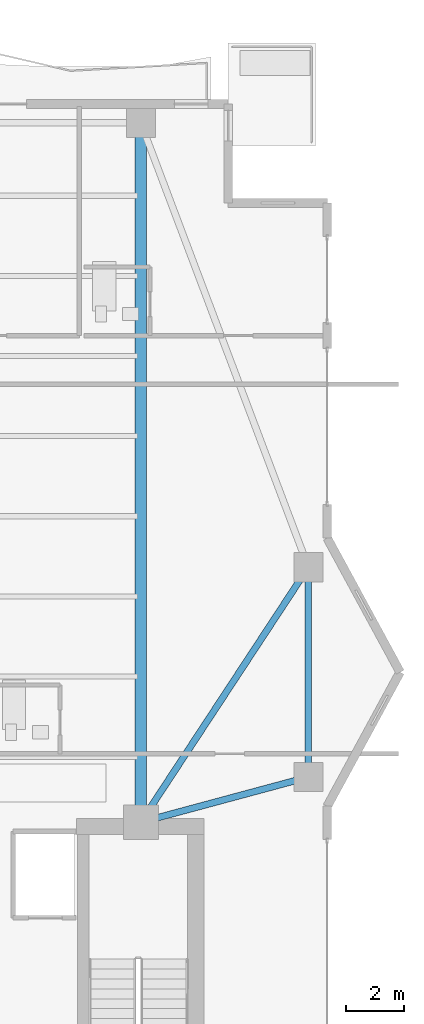
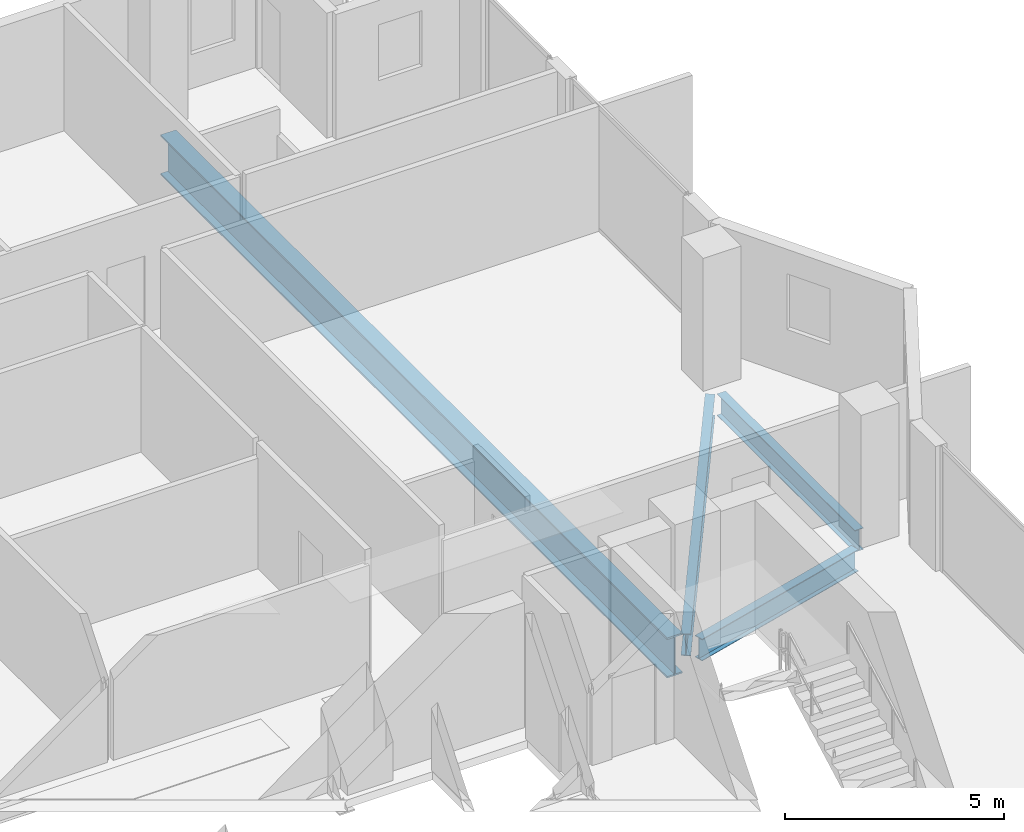
# One storey, part 9 of 24: 4 beams.
"""IFC4 building model written with IfcOpenShell, lengths in metres."""

import ifcopenshell
import ifcopenshell.guid

model = None  # the IFC model being written
_history = None  # IfcOwnerHistory: only IFC2X3 demands one
_inside = {}  # id of a spatial element -> (the spatial element, [elements in it])
_under = {}  # id of a project, library or spatial element -> (it, [spatial elements below it])
_declared = {}  # id of a project -> (the project, [libraries it declares])
_typed = {}  # id of a type object -> (the type object, [elements of that type])
_made_of = {}  # id of a material, layer set ... -> (it, [elements and type objects made of it])


def new_model(schema):
    """Start an empty IFC model of exactly this schema.

    Asked for "IFC4X3", IfcOpenShell would pick the latest addendum, in which some entities
    have other attributes; the version numbers below select the first issue.
    IFC2X3 requires an IfcOwnerHistory on every rooted entity: one is made here for all.
    """
    global model, _history
    if schema == "IFC4X3":
        model = ifcopenshell.file(schema_version=(4, 3, 0, 0))
    else:
        model = ifcopenshell.file(schema=schema)
    _inside.clear()
    _under.clear()
    _declared.clear()
    _typed.clear()
    _made_of.clear()
    _history = None
    if model.schema == "IFC2X3":
        org = make("IfcOrganization", Name="unknown")
        user = make(
            "IfcPersonAndOrganization",
            ThePerson=make("IfcPerson", FamilyName="unknown"),
            TheOrganization=org,
        )
        app = make(
            "IfcApplication",
            ApplicationDeveloper=org,
            Version="unknown",
            ApplicationFullName="unknown",
            ApplicationIdentifier="unknown",
        )
        _history = make(
            "IfcOwnerHistory",
            OwningUser=user,
            OwningApplication=app,
            ChangeAction="ADDED",
            CreationDate=0,
        )
    return model


def make(cls, **values):
    """One entity of the class cls with the attributes given. An attribute that is None is left unset."""
    return model.create_entity(
        cls, **{name: value for name, value in values.items() if value is not None}
    )


def rooted(cls, **values):
    """An entity with a GlobalId (a new one), such as an element, a storey or a relation."""
    return make(cls, GlobalId=ifcopenshell.guid.new(), OwnerHistory=_history, **values)


def si_unit(unit_type, name, prefix=None):
    """IfcSIUnit, for example si_unit("LENGTHUNIT", "METRE", prefix="MILLI")."""
    return make("IfcSIUnit", UnitType=unit_type, Prefix=prefix, Name=name)


def assignment(units):
    """IfcUnitAssignment: the units of a project."""
    return None if units is None else make("IfcUnitAssignment", Units=units)


def point(xyz):
    """IfcCartesianPoint."""
    return None if xyz is None else make("IfcCartesianPoint", Coordinates=xyz)


def direction(xyz):
    """IfcDirection."""
    return None if xyz is None else make("IfcDirection", DirectionRatios=xyz)


def frame(location, z_axis=None, x_axis=None):
    """IfcAxis2Placement3D, a coordinate frame: its origin and axes. An axis left out is left unset."""
    return make(
        "IfcAxis2Placement3D",
        Location=point(location),
        Axis=direction(z_axis),
        RefDirection=direction(x_axis),
    )


def frame_2d(location, x_axis=None):
    """IfcAxis2Placement2D, a coordinate frame in the plane: its origin and x axis."""
    return make(
        "IfcAxis2Placement2D", Location=point(location), RefDirection=direction(x_axis)
    )


def origin():
    """The frame at (0, 0, 0) with its axes left unset."""
    return frame((0.0, 0.0, 0.0))


def origin_2d():
    """The frame at (0, 0) in the plane with its x axis left unset."""
    return frame_2d((0.0, 0.0))


def place(relative_to, where):
    """IfcLocalPlacement: puts the frame where relative to a parent placement (None: the world)."""
    return make(
        "IfcLocalPlacement", PlacementRelTo=relative_to, RelativePlacement=where
    )


def context(
    kind, dimensions, precision=None, world=None, true_north=None, identifier=None
):
    """IfcGeometricRepresentationContext, for example the 3D "Model" context."""
    return make(
        "IfcGeometricRepresentationContext",
        ContextIdentifier=identifier,
        ContextType=kind,
        CoordinateSpaceDimension=dimensions,
        Precision=precision,
        WorldCoordinateSystem=world,
        TrueNorth=true_north,
    )


def subcontext(parent, identifier, kind, view, scale=None):
    """IfcGeometricRepresentationSubContext, for example "Body" below "Model"."""
    return make(
        "IfcGeometricRepresentationSubContext",
        ContextIdentifier=identifier,
        ContextType=kind,
        ParentContext=parent,
        TargetScale=scale,
        TargetView=view,
    )


def project(units=None, contexts=None):
    """IfcProject with its units and contexts."""
    return rooted(
        "IfcProject",
        Name="project",
        RepresentationContexts=contexts,
        UnitsInContext=assignment(units),
    )


def spatial(cls, under=None, at=None, **own):
    """A site, building, storey or space (cls), placed at a placement, below another one or the project."""
    s = rooted(cls, ObjectPlacement=at, **own)
    if under is not None:
        _under.setdefault(under.id(), (under, []))[1].append(s)
    return s


def profile(cls, at=None, kind="AREA", **sizes):
    """A parametric profile (cls). Its sizes go by their IFC names, for example OverallWidth=200.0."""
    return make(cls, ProfileType=kind, Position=at, **sizes)


def i_section(**sizes):
    """IfcIShapeProfileDef."""
    return profile("IfcIShapeProfileDef", **sizes)


def extrude(swept, where, along, depth):
    """IfcExtrudedAreaSolid: the profile swept, set in the frame where, extruded along a direction by depth."""
    return make(
        "IfcExtrudedAreaSolid",
        SweptArea=swept,
        Position=where,
        ExtrudedDirection=direction(along),
        Depth=depth,
    )


def shape(context_of_items, identifier, shape_type, items):
    """IfcShapeRepresentation: the items that make up one representation, for example the "Body"."""
    return make(
        "IfcShapeRepresentation",
        ContextOfItems=context_of_items,
        RepresentationIdentifier=identifier,
        RepresentationType=shape_type,
        Items=items,
    )


def material(Name=None, Category=None):
    """IfcMaterial."""
    return make("IfcMaterial", Name=Name, Category=Category)


def material_profile(
    of_material, cross_section, Name=None, Category=None, Priority=None
):
    """IfcMaterialProfile: a cross section and its material."""
    return make(
        "IfcMaterialProfile",
        Name=Name,
        Material=of_material,
        Profile=cross_section,
        Priority=Priority,
        Category=Category,
    )


def profile_set(profiles, Name=None, composite=None):
    """IfcMaterialProfileSet."""
    return make(
        "IfcMaterialProfileSet",
        Name=Name,
        MaterialProfiles=profiles,
        CompositeProfile=composite,
    )


def made_of(thing, what):
    """Note that an element or type object is made of a material, layer set ...; save() writes the relation."""
    if what is not None:
        _made_of.setdefault(what.id(), (what, []))[1].append(thing)
    return thing


def type_object(cls, material=None, **own):
    """A type object (cls), such as IfcWallType, which elements share."""
    return made_of(rooted(cls, **own), material)


def element(
    cls,
    number,
    at=None,
    inside=None,
    cuts=None,
    type_object=None,
    material=None,
    context=None,
    identifier="Body",
    shape_type=None,
    held_by="IfcProductDefinitionShape",
    body=None,
    shapes=None,
    **own,
):
    """One element of the class cls, such as IfcWall. Its Tag is "e" and its number.

    at: its placement. inside: the storey or other place that contains it. cuts: it is an
    opening in that element (IfcRelVoidsElement). A single representation is given by context,
    identifier, shape_type and body (its items); several are given by shapes. held_by: the class
    of the entity that holds the representations. save() writes the other relations.
    """
    e = rooted(cls, Tag="e%d" % number, ObjectPlacement=at, **own)
    if body is not None:
        shapes = [shape(context, identifier, shape_type, body)]
    if shapes is not None:
        e.Representation = make(held_by, Representations=shapes)
    if inside is not None:
        _inside.setdefault(inside.id(), (inside, []))[1].append(e)
    if cuts is not None:
        rooted(
            "IfcRelVoidsElement", RelatingBuildingElement=cuts, RelatedOpeningElement=e
        )
    if type_object is not None:
        _typed.setdefault(type_object.id(), (type_object, []))[1].append(e)
    return made_of(e, material)


def aggregate(whole, parts):
    """IfcRelAggregates: a whole, such as a stair, and the parts it consists of."""
    return rooted("IfcRelAggregates", RelatingObject=whole, RelatedObjects=parts)


def save(model, path):
    """Write the relations noted so far, then the file.

    IfcRelAggregates (storeys below a building ...), IfcRelContainedInSpatialStructure (elements
    in a storey), IfcRelDefinesByType, IfcRelAssociatesMaterial and IfcRelDeclares: one each for
    every whole, place, type object, material and project.
    """
    for whole, parts in _under.values():
        aggregate(whole, parts)
    for where, things in _inside.values():
        rooted(
            "IfcRelContainedInSpatialStructure",
            RelatedElements=things,
            RelatingStructure=where,
        )
    for kind, things in _typed.values():
        rooted("IfcRelDefinesByType", RelatedObjects=things, RelatingType=kind)
    for what, things in _made_of.values():
        rooted("IfcRelAssociatesMaterial", RelatedObjects=things, RelatingMaterial=what)
    for by, libraries in _declared.values():
        rooted("IfcRelDeclares", RelatingContext=by, RelatedDefinitions=libraries)
    model.write(path)


model = new_model("IFC4")

# Units and contexts
model_context = context("Model", 3, precision=1e-05, world=origin(), true_north=direction((0.0, 1.0)))
body_context = subcontext(model_context, "Body", "Model", "MODEL_VIEW")
ifc_project = project(units=[si_unit("LENGTHUNIT", "METRE"), si_unit("AREAUNIT", "SQUARE_METRE"), si_unit("VOLUMEUNIT", "CUBIC_METRE"), si_unit("PLANEANGLEUNIT", "RADIAN"), si_unit("MASSUNIT", "GRAM", prefix="KILO")], contexts=[model_context])

# Site, building, storey
site_placement = place(None, origin())
site = spatial("IfcSite", under=ifc_project, at=site_placement, CompositionType="ELEMENT")
building_placement = place(site_placement, origin())
building = spatial("IfcBuilding", under=site, at=building_placement, Name="Zuhayl Quay Hotel", CompositionType="ELEMENT")
storey_placement = place(building_placement, frame((0.0, 0.0, 269.25)))
storey = spatial("IfcBuildingStorey", under=building, at=storey_placement, Name="L68", CompositionType="ELEMENT", Elevation=269.25)

# Beams
ifc_material_1 = material(Name="Steel ASTM A992 Grade 50", Category="steel")
ifc_material_profile_1 = material_profile(ifc_material_1, i_section(OverallWidth=0.22802734375, OverallDepth=0.60693359375, WebThickness=0.01123046875, FlangeThickness=0.017333984375, at=origin_2d()), Name="W24X76")
ifc_profile_set_1 = profile_set([ifc_material_profile_1], Name="Steel ASTM A992 Grade 50")
beam_type_1 = type_object("IfcBeamType", Name="BM_B3_W24X76", PredefinedType="BEAM", material=ifc_profile_set_1)
beam_1_placement = place(storey_placement, frame((19.550048828125, 16.360107421875, -0.5234375), z_axis=(0.0, 1.0, 0.0), x_axis=(-1.0, 0.0, 0.0)))
element("IfcBeam", 1, at=beam_1_placement, inside=storey, type_object=beam_type_1, Name="L68 Floor Beam RG_L68_05", PredefinedType="BEAM", context=body_context, shape_type="SweptSolid", body=[
    extrude(i_section(OverallWidth=0.22802734375, OverallDepth=0.60693359375, WebThickness=0.01123046875, FlangeThickness=0.017333984375, at=origin_2d()), origin(), (0.0, 0.0, 1.0), 6.27978515625),
])
beam_2_placement = place(storey_placement, frame((14.234619140625, 14.467041015625, -0.5234375), z_axis=(0.965530205773, 0.26029103277, 0.0), x_axis=(-0.26029103277, 0.965530205773, 0.0)))
element("IfcBeam", 2, at=beam_2_placement, inside=storey, type_object=beam_type_1, Name="L68 Floor Beam FG_E_L68_1", PredefinedType="BEAM", context=body_context, shape_type="SweptSolid", body=[
    extrude(i_section(OverallWidth=0.22802734375, OverallDepth=0.60693359375, WebThickness=0.01123046875, FlangeThickness=0.017333984375, at=origin_2d()), origin(), (0.0, 0.0, 1.0), 5.045166015625),
])
beam_3_placement = place(storey_placement, frame((14.047119140625, 14.72607421875, -0.5234375), z_axis=(0.549177886661, 0.835705479701, 0.0), x_axis=(-0.835705479701, 0.549177886661, 0.0)))
element("IfcBeam", 3, at=beam_3_placement, inside=storey, type_object=beam_type_1, Name="L68 Floor Beam FG_E_L68_2", PredefinedType="BEAM", context=body_context, shape_type="SweptSolid", body=[
    extrude(i_section(OverallWidth=0.22802734375, OverallDepth=0.60693359375, WebThickness=0.01123046875, FlangeThickness=0.017333984375, at=origin_2d()), origin(), (0.0, 0.0, 1.0), 9.560302734375),
])
ifc_material_2 = material(Name="Steel ASTM A913 Grade 65", Category="steel")
ifc_material_profile_2 = material_profile(ifc_material_2, i_section(OverallWidth=0.404052734375, OverallDepth=1.117919921875, WebThickness=0.026123046875, FlangeThickness=0.044921875, at=origin_2d()), Name="W44X335")
ifc_profile_set_2 = profile_set([ifc_material_profile_2], Name="Steel ASTM A913 Grade 65")
beam_type_2 = type_object("IfcBeamType", Name="BM_TG1_W44X335", PredefinedType="BEAM", material=ifc_profile_set_2)
beam_4_placement = place(storey_placement, frame((13.800048828125, 14.800048828125, -0.779052734375), z_axis=(0.0, 1.0, 0.0), x_axis=(-1.0, 0.0, 0.0)))
element("IfcBeam", 4, at=beam_4_placement, inside=storey, type_object=beam_type_2, Name="L68 Floor Beam FG_N_L68_4", PredefinedType="BEAM", context=body_context, shape_type="SweptSolid", body=[
    extrude(i_section(OverallWidth=0.404052734375, OverallDepth=1.117919921875, WebThickness=0.026123046875, FlangeThickness=0.044921875, at=origin_2d()), origin(), (0.0, 0.0, 1.0), 23.08984375),
])

save(model, "model.ifc")
